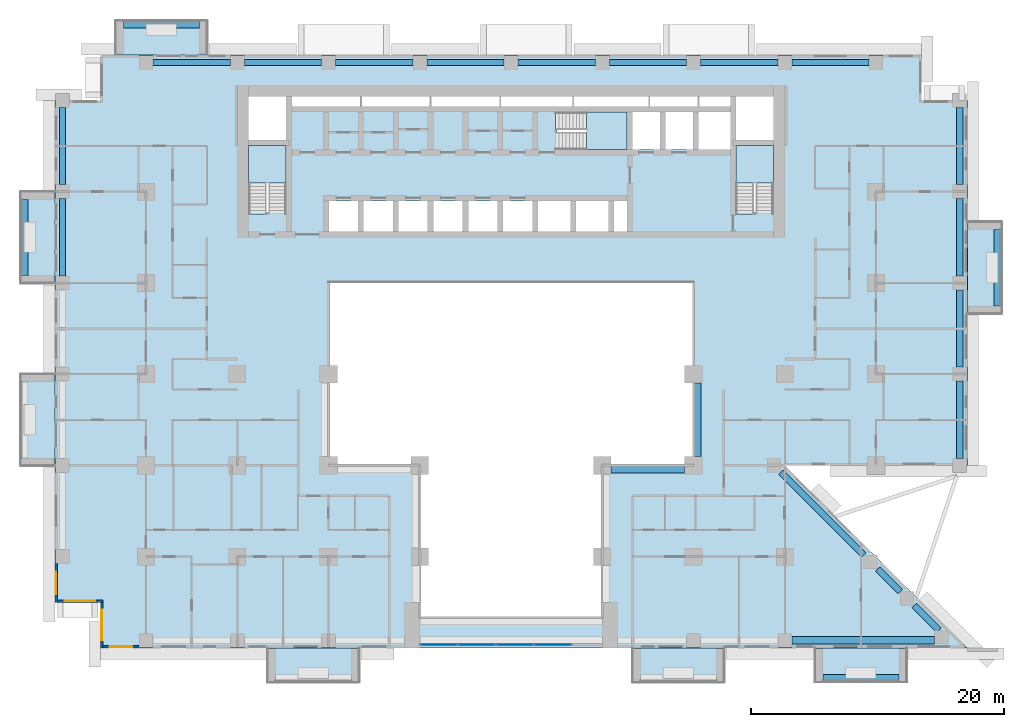
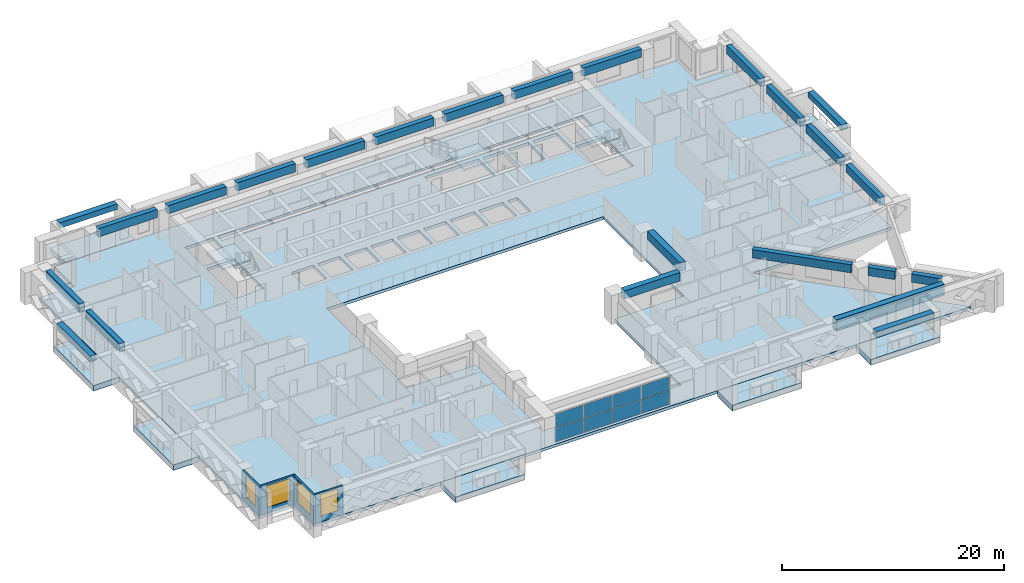
# One storey, part 5 of 17: 24 beams, 11 slabs, 8 plates, 4 walls, 4 windows, 4 openings, 4 elements without a shape of their own.
"""IFC4 building model written with IfcOpenShell, lengths in metres."""

import ifcopenshell
import ifcopenshell.guid

model = None  # the IFC model being written
_history = None  # IfcOwnerHistory: only IFC2X3 demands one
_inside = {}  # id of a spatial element -> (the spatial element, [elements in it])
_under = {}  # id of a project, library or spatial element -> (it, [spatial elements below it])
_declared = {}  # id of a project -> (the project, [libraries it declares])
_typed = {}  # id of a type object -> (the type object, [elements of that type])
_made_of = {}  # id of a material, layer set ... -> (it, [elements and type objects made of it])


def new_model(schema):
    """Start an empty IFC model of exactly this schema.

    Asked for "IFC4X3", IfcOpenShell would pick the latest addendum, in which some entities
    have other attributes; the version numbers below select the first issue.
    IFC2X3 requires an IfcOwnerHistory on every rooted entity: one is made here for all.
    """
    global model, _history
    if schema == "IFC4X3":
        model = ifcopenshell.file(schema_version=(4, 3, 0, 0))
    else:
        model = ifcopenshell.file(schema=schema)
    _inside.clear()
    _under.clear()
    _declared.clear()
    _typed.clear()
    _made_of.clear()
    _history = None
    if model.schema == "IFC2X3":
        org = make("IfcOrganization", Name="unknown")
        user = make(
            "IfcPersonAndOrganization",
            ThePerson=make("IfcPerson", FamilyName="unknown"),
            TheOrganization=org,
        )
        app = make(
            "IfcApplication",
            ApplicationDeveloper=org,
            Version="unknown",
            ApplicationFullName="unknown",
            ApplicationIdentifier="unknown",
        )
        _history = make(
            "IfcOwnerHistory",
            OwningUser=user,
            OwningApplication=app,
            ChangeAction="ADDED",
            CreationDate=0,
        )
    return model


def make(cls, **values):
    """One entity of the class cls with the attributes given. An attribute that is None is left unset."""
    return model.create_entity(
        cls, **{name: value for name, value in values.items() if value is not None}
    )


def rooted(cls, **values):
    """An entity with a GlobalId (a new one), such as an element, a storey or a relation."""
    return make(cls, GlobalId=ifcopenshell.guid.new(), OwnerHistory=_history, **values)


def si_unit(unit_type, name, prefix=None):
    """IfcSIUnit, for example si_unit("LENGTHUNIT", "METRE", prefix="MILLI")."""
    return make("IfcSIUnit", UnitType=unit_type, Prefix=prefix, Name=name)


def assignment(units):
    """IfcUnitAssignment: the units of a project."""
    return None if units is None else make("IfcUnitAssignment", Units=units)


def point(xyz):
    """IfcCartesianPoint."""
    return None if xyz is None else make("IfcCartesianPoint", Coordinates=xyz)


def direction(xyz):
    """IfcDirection."""
    return None if xyz is None else make("IfcDirection", DirectionRatios=xyz)


def frame(location, z_axis=None, x_axis=None):
    """IfcAxis2Placement3D, a coordinate frame: its origin and axes. An axis left out is left unset."""
    return make(
        "IfcAxis2Placement3D",
        Location=point(location),
        Axis=direction(z_axis),
        RefDirection=direction(x_axis),
    )


def frame_2d(location, x_axis=None):
    """IfcAxis2Placement2D, a coordinate frame in the plane: its origin and x axis."""
    return make(
        "IfcAxis2Placement2D", Location=point(location), RefDirection=direction(x_axis)
    )


def origin():
    """The frame at (0, 0, 0) with its axes left unset."""
    return frame((0.0, 0.0, 0.0))


def origin_2d():
    """The frame at (0, 0) in the plane with its x axis left unset."""
    return frame_2d((0.0, 0.0))


def place(relative_to, where):
    """IfcLocalPlacement: puts the frame where relative to a parent placement (None: the world)."""
    return make(
        "IfcLocalPlacement", PlacementRelTo=relative_to, RelativePlacement=where
    )


def context(
    kind, dimensions, precision=None, world=None, true_north=None, identifier=None
):
    """IfcGeometricRepresentationContext, for example the 3D "Model" context."""
    return make(
        "IfcGeometricRepresentationContext",
        ContextIdentifier=identifier,
        ContextType=kind,
        CoordinateSpaceDimension=dimensions,
        Precision=precision,
        WorldCoordinateSystem=world,
        TrueNorth=true_north,
    )


def subcontext(parent, identifier, kind, view, scale=None):
    """IfcGeometricRepresentationSubContext, for example "Body" below "Model"."""
    return make(
        "IfcGeometricRepresentationSubContext",
        ContextIdentifier=identifier,
        ContextType=kind,
        ParentContext=parent,
        TargetScale=scale,
        TargetView=view,
    )


def project(units=None, contexts=None):
    """IfcProject with its units and contexts."""
    return rooted(
        "IfcProject",
        Name="project",
        RepresentationContexts=contexts,
        UnitsInContext=assignment(units),
    )


def spatial(cls, under=None, at=None, **own):
    """A site, building, storey or space (cls), placed at a placement, below another one or the project."""
    s = rooted(cls, ObjectPlacement=at, **own)
    if under is not None:
        _under.setdefault(under.id(), (under, []))[1].append(s)
    return s


def polyline(points):
    """IfcPolyline through the points."""
    return make("IfcPolyline", Points=[point(p) for p in points])


def profile(cls, at=None, kind="AREA", **sizes):
    """A parametric profile (cls). Its sizes go by their IFC names, for example OverallWidth=200.0."""
    return make(cls, ProfileType=kind, Position=at, **sizes)


def rectangle(**sizes):
    """IfcRectangleProfileDef."""
    return profile("IfcRectangleProfileDef", **sizes)


def outline(outer, holes=None, kind="AREA"):
    """IfcArbitraryClosedProfileDef: a profile drawn as a closed curve; with holes, ...WithVoids."""
    if holes is None:
        return make("IfcArbitraryClosedProfileDef", ProfileType=kind, OuterCurve=outer)
    return make(
        "IfcArbitraryProfileDefWithVoids",
        ProfileType=kind,
        OuterCurve=outer,
        InnerCurves=holes,
    )


def extrude(swept, where, along, depth):
    """IfcExtrudedAreaSolid: the profile swept, set in the frame where, extruded along a direction by depth."""
    return make(
        "IfcExtrudedAreaSolid",
        SweptArea=swept,
        Position=where,
        ExtrudedDirection=direction(along),
        Depth=depth,
    )


def shape(context_of_items, identifier, shape_type, items):
    """IfcShapeRepresentation: the items that make up one representation, for example the "Body"."""
    return make(
        "IfcShapeRepresentation",
        ContextOfItems=context_of_items,
        RepresentationIdentifier=identifier,
        RepresentationType=shape_type,
        Items=items,
    )


def source(mapping_origin, context_of_items, identifier, shape_type, items):
    """IfcRepresentationMap: a shape defined once, which mapped items show again and again."""
    return make(
        "IfcRepresentationMap",
        MappingOrigin=mapping_origin,
        MappedRepresentation=shape(context_of_items, identifier, shape_type, items),
    )


def transform(
    local_origin,
    x_axis=None,
    y_axis=None,
    z_axis=None,
    scale=None,
    scale2=None,
    scale3=None,
    uniform=True,
):
    """IfcCartesianTransformationOperator3D, or its non-uniform kind. x_axis, y_axis, z_axis: its Axis1, 2, 3."""
    if uniform:
        return make(
            "IfcCartesianTransformationOperator3D",
            Axis1=direction(x_axis),
            Axis2=direction(y_axis),
            LocalOrigin=point(local_origin),
            Scale=scale,
            Axis3=direction(z_axis),
        )
    return make(
        "IfcCartesianTransformationOperator3DnonUniform",
        Axis1=direction(x_axis),
        Axis2=direction(y_axis),
        LocalOrigin=point(local_origin),
        Scale=scale,
        Axis3=direction(z_axis),
        Scale2=scale2,
        Scale3=scale3,
    )


def mapped(mapping_source, mapping_target):
    """IfcMappedItem: shows the shape of a source again, moved by a transform."""
    return make(
        "IfcMappedItem", MappingSource=mapping_source, MappingTarget=mapping_target
    )


def material(Name=None, Category=None):
    """IfcMaterial."""
    return make("IfcMaterial", Name=Name, Category=Category)


def layer(
    of_material, thickness, ventilated=None, Name=None, Category=None, Priority=None
):
    """IfcMaterialLayer: one layer of a wall or slab, of a material (None: an air gap)."""
    return make(
        "IfcMaterialLayer",
        Material=of_material,
        LayerThickness=thickness,
        IsVentilated=ventilated,
        Name=Name,
        Category=Category,
        Priority=Priority,
    )


def layer_set(layers, Name=None):
    """IfcMaterialLayerSet."""
    return make("IfcMaterialLayerSet", MaterialLayers=layers, LayerSetName=Name)


def material_profile(
    of_material, cross_section, Name=None, Category=None, Priority=None
):
    """IfcMaterialProfile: a cross section and its material."""
    return make(
        "IfcMaterialProfile",
        Name=Name,
        Material=of_material,
        Profile=cross_section,
        Priority=Priority,
        Category=Category,
    )


def profile_set(profiles, Name=None, composite=None):
    """IfcMaterialProfileSet."""
    return make(
        "IfcMaterialProfileSet",
        Name=Name,
        MaterialProfiles=profiles,
        CompositeProfile=composite,
    )


def made_of(thing, what):
    """Note that an element or type object is made of a material, layer set ...; save() writes the relation."""
    if what is not None:
        _made_of.setdefault(what.id(), (what, []))[1].append(thing)
    return thing


def type_object(cls, material=None, **own):
    """A type object (cls), such as IfcWallType, which elements share."""
    return made_of(rooted(cls, **own), material)


def element(
    cls,
    number,
    at=None,
    inside=None,
    cuts=None,
    type_object=None,
    material=None,
    context=None,
    identifier="Body",
    shape_type=None,
    held_by="IfcProductDefinitionShape",
    body=None,
    shapes=None,
    **own,
):
    """One element of the class cls, such as IfcWall. Its Tag is "e" and its number.

    at: its placement. inside: the storey or other place that contains it. cuts: it is an
    opening in that element (IfcRelVoidsElement). A single representation is given by context,
    identifier, shape_type and body (its items); several are given by shapes. held_by: the class
    of the entity that holds the representations. save() writes the other relations.
    """
    e = rooted(cls, Tag="e%d" % number, ObjectPlacement=at, **own)
    if body is not None:
        shapes = [shape(context, identifier, shape_type, body)]
    if shapes is not None:
        e.Representation = make(held_by, Representations=shapes)
    if inside is not None:
        _inside.setdefault(inside.id(), (inside, []))[1].append(e)
    if cuts is not None:
        rooted(
            "IfcRelVoidsElement", RelatingBuildingElement=cuts, RelatedOpeningElement=e
        )
    if type_object is not None:
        _typed.setdefault(type_object.id(), (type_object, []))[1].append(e)
    return made_of(e, material)


def fill(opening, filler):
    """IfcRelFillsElement: the door or window that sits in an opening."""
    return rooted(
        "IfcRelFillsElement",
        RelatingOpeningElement=opening,
        RelatedBuildingElement=filler,
    )


def aggregate(whole, parts):
    """IfcRelAggregates: a whole, such as a stair, and the parts it consists of."""
    return rooted("IfcRelAggregates", RelatingObject=whole, RelatedObjects=parts)


def save(model, path):
    """Write the relations noted so far, then the file.

    IfcRelAggregates (storeys below a building ...), IfcRelContainedInSpatialStructure (elements
    in a storey), IfcRelDefinesByType, IfcRelAssociatesMaterial and IfcRelDeclares: one each for
    every whole, place, type object, material and project.
    """
    for whole, parts in _under.values():
        aggregate(whole, parts)
    for where, things in _inside.values():
        rooted(
            "IfcRelContainedInSpatialStructure",
            RelatedElements=things,
            RelatingStructure=where,
        )
    for kind, things in _typed.values():
        rooted("IfcRelDefinesByType", RelatedObjects=things, RelatingType=kind)
    for what, things in _made_of.values():
        rooted("IfcRelAssociatesMaterial", RelatedObjects=things, RelatingMaterial=what)
    for by, libraries in _declared.values():
        rooted("IfcRelDeclares", RelatingContext=by, RelatedDefinitions=libraries)
    model.write(path)


model = new_model("IFC4")

# Units and contexts
model_context = context("Model", 3, precision=1e-05, world=origin(), true_north=direction((0.0, 1.0)))
body_context = subcontext(model_context, "Body", "Model", "MODEL_VIEW")
ifc_project = project(units=[si_unit("LENGTHUNIT", "METRE"), si_unit("AREAUNIT", "SQUARE_METRE"), si_unit("VOLUMEUNIT", "CUBIC_METRE"), si_unit("PLANEANGLEUNIT", "RADIAN"), si_unit("MASSUNIT", "GRAM", prefix="KILO")], contexts=[model_context])

# Site, building, storey
site_placement = place(None, origin())
site = spatial("IfcSite", under=ifc_project, at=site_placement, CompositionType="ELEMENT")
building_placement = place(site_placement, origin())
building = spatial("IfcBuilding", under=site, at=building_placement, Name="Saffron Iwan Residences", CompositionType="ELEMENT")
storey_placement = place(building_placement, frame((0.0, 0.0, 58.5)))
storey = spatial("IfcBuildingStorey", under=building, at=storey_placement, Name="L14", CompositionType="ELEMENT", Elevation=58.5)

# Beams
ifc_material_1 = material(Name="Concrete C60/75", Category="concrete")
ifc_material_profile_1 = material_profile(ifc_material_1, rectangle(XDim=0.5, YDim=0.89990234375, at=origin_2d()), Name="RC 500x900")
ifc_profile_set_1 = profile_set([ifc_material_profile_1], Name="Concrete C60/75")
beam_type_1 = type_object("IfcBeamType", Name="SPANDREL BEAM RC 500x900 C60/75 TOP 3180", PredefinedType="SPANDREL", material=ifc_profile_set_1)
shared_shape_1 = source(origin(), body_context, "Body", "SweptSolid", [
    extrude(rectangle(XDim=0.5, YDim=0.89990234375, at=origin_2d()), origin(), (0.0, 0.0, 1.0), 6.10009765625),
])
for number, where, z_axis, x_axis, name in (
    (1, (85.800048828125, 61.85009765625, 2.72998046875), (0.0, -1.0, 0.0), (1.0, 0.0, 0.0), "Spandrel beam"),
    (2, (15.0, 62.949951171875, 2.72998046875), (0.0, 1.0, 0.0), (-1.0, 0.0, 0.0), "Spandrel beam"),
    (3, (85.800048828125, 69.050048828125, 2.72998046875), (0.0, -1.0, 0.0), (1.0, 0.0, 0.0), "Spandrel beam"),
    (4, (15.0, 70.14990234375, 2.72998046875), (0.0, 1.0, 0.0), (-1.0, 0.0, 0.0), "Spandrel beam"),
    (5, (85.800048828125, 76.25, 2.72998046875), (0.0, -1.0, 0.0), (1.0, 0.0, 0.0), "Spandrel beam"),
    (6, (22.14990234375, 79.800048828125, 2.72998046875), (1.0, 0.0, 0.0), (0.0, 1.0, 0.0), "Spandrel beam"),
    (7, (43.75, 79.800048828125, 2.72998046875), (1.0, 0.0, 0.0), (0.0, 1.0, 0.0), "Spandrel beam"),
    (8, (50.949951171875, 79.800048828125, 2.72998046875), (1.0, 0.0, 0.0), (0.0, 1.0, 0.0), "Spandrel beam"),
    (9, (58.14990234375, 79.800048828125, 2.72998046875), (1.0, 0.0, 0.0), (0.0, 1.0, 0.0), "Spandrel beam"),
):
    element("IfcBeam", number, at=place(storey_placement, frame(where, z_axis=z_axis, x_axis=x_axis)), inside=storey, type_object=beam_type_1, Name=name, PredefinedType="SPANDREL", context=body_context, shape_type="MappedRepresentation", body=[
        mapped(shared_shape_1, transform((0.0, 0.0, 0.0))),
    ])
shared_shape_2 = source(origin(), body_context, "Body", "SweptSolid", [
    extrude(rectangle(XDim=0.5, YDim=0.89990234375, at=origin_2d()), origin(), (0.0, 0.0, 1.0), 6.099853515625),
])
for number, where, z_axis, x_axis, name in (
    (10, (85.800048828125, 54.64990234375, 2.72998046875), (0.0, -1.0, 0.0), (1.0, 0.0, 0.0), "Spandrel beam"),
    (11, (29.35009765625, 79.800048828125, 2.72998046875), (1.0, 0.0, 0.0), (0.0, 1.0, 0.0), "Spandrel beam"),
    (12, (36.550048828125, 79.800048828125, 2.72998046875), (1.0, 0.0, 0.0), (0.0, 1.0, 0.0), "Spandrel beam"),
    (13, (65.35009765625, 79.800048828125, 2.72998046875), (1.0, 0.0, 0.0), (0.0, 1.0, 0.0), "Spandrel beam"),
    (14, (72.550048828125, 79.800048828125, 2.72998046875), (1.0, 0.0, 0.0), (0.0, 1.0, 0.0), "Spandrel beam"),
):
    element("IfcBeam", number, at=place(storey_placement, frame(where, z_axis=z_axis, x_axis=x_axis)), inside=storey, type_object=beam_type_1, Name=name, PredefinedType="SPANDREL", context=body_context, shape_type="MappedRepresentation", body=[
        mapped(shared_shape_2, transform((0.0, 0.0, 0.0))),
    ])
shared_shape_3 = source(origin(), body_context, "Body", "SweptSolid", [
    extrude(rectangle(XDim=0.5, YDim=0.89990234375, at=origin_2d()), origin(), (0.0, 0.0, 1.0), 2.76318359375),
])
beam_1_placement = place(storey_placement, frame((82.205810546875, 36.94580078125, 2.72998046875), z_axis=(0.707106781187, -0.707106781187, 0.0), x_axis=(0.707106781187, 0.707106781187, 0.0)))
element("IfcBeam", 15, at=beam_1_placement, inside=storey, type_object=beam_type_1, Name="Spandrel beam", PredefinedType="SPANDREL", context=body_context, shape_type="MappedRepresentation", body=[
    mapped(shared_shape_3, transform((0.0, 0.0, 0.0))),
])
shared_shape_4 = source(origin(), body_context, "Body", "SweptSolid", [
    extrude(rectangle(XDim=0.5, YDim=0.89990234375, at=origin_2d()), origin(), (0.0, 0.0, 1.0), 2.517333984375),
])
beam_2_placement = place(storey_placement, frame((79.32568359375, 39.82568359375, 2.72998046875), z_axis=(0.707106781187, -0.707106781187, 0.0), x_axis=(0.707106781187, 0.707106781187, 0.0)))
element("IfcBeam", 16, at=beam_2_placement, inside=storey, type_object=beam_type_1, Name="Spandrel beam", PredefinedType="SPANDREL", context=body_context, shape_type="MappedRepresentation", body=[
    mapped(shared_shape_4, transform((0.0, 0.0, 0.0))),
])
shared_shape_5 = source(origin(), body_context, "Body", "SweptSolid", [
    extrude(rectangle(XDim=0.5, YDim=0.89990234375, at=origin_2d()), origin(), (0.0, 0.0, 1.0), 9.228759765625),
])
beam_3_placement = place(storey_placement, frame((71.699951171875, 47.451416015625, 2.72998046875), z_axis=(0.707120008149, -0.707093553977, 0.0), x_axis=(0.707093553977, 0.707120008149, 0.0)))
element("IfcBeam", 17, at=beam_3_placement, inside=storey, type_object=beam_type_1, Name="Spandrel beam", PredefinedType="SPANDREL", context=body_context, shape_type="MappedRepresentation", body=[
    mapped(shared_shape_5, transform((0.0, 0.0, 0.0))),
])
ifc_material_profile_2 = material_profile(ifc_material_1, rectangle(XDim=0.60009765625, YDim=1.199951171875, at=origin_2d()), Name="RC 600x1200")
ifc_profile_set_2 = profile_set([ifc_material_profile_2], Name="Concrete C60/75")
beam_type_2 = type_object("IfcBeamType", Name="LINTEL BEAM RC 600x1200 C60/75 TOP 3180", PredefinedType="LINTEL", material=ifc_profile_set_2)
shared_shape_6 = source(origin(), body_context, "Body", "SweptSolid", [
    extrude(rectangle(XDim=0.60009765625, YDim=1.199951171875, at=origin_2d()), origin(), (0.0, 0.0, 1.0), 11.267333984375),
])
beam_4_placement = place(storey_placement, frame((83.8173828125, 34.199951171875, 2.580078125), z_axis=(-1.0, 0.0, 0.0), x_axis=(0.0, -1.0, 0.0)))
element("IfcBeam", 18, at=beam_4_placement, inside=storey, type_object=beam_type_2, Name="Lintel beam over the iwan", PredefinedType="LINTEL", context=body_context, shape_type="MappedRepresentation", body=[
    mapped(shared_shape_6, transform((0.0, 0.0, 0.0))),
])
ifc_material_profile_3 = material_profile(ifc_material_1, rectangle(XDim=0.60009765625, YDim=0.89990234375, at=origin_2d()), Name="RC 600x900")
ifc_profile_set_3 = profile_set([ifc_material_profile_3], Name="Concrete C60/75")
beam_type_3 = type_object("IfcBeamType", Name="BEAM RC 600x900 C60/75 TOP 3180", PredefinedType="BEAM", material=ifc_profile_set_3)
shared_shape_7 = source(origin(), body_context, "Body", "SweptSolid", [
    extrude(rectangle(XDim=0.60009765625, YDim=0.89990234375, at=origin_2d()), origin(), (0.0, 0.0, 1.0), 5.800048828125),
])
for number, where, z_axis, x_axis, name in (
    (19, (64.10009765625, 47.699951171875, 2.72998046875), (-1.0, 0.0, 0.0), (0.0, -1.0, 0.0), "Atrium edge beam"),
    (20, (65.10009765625, 54.5, 2.72998046875), (0.0, -1.0, 0.0), (1.0, 0.0, 0.0), "Atrium edge beam"),
):
    element("IfcBeam", number, at=place(storey_placement, frame(where, z_axis=z_axis, x_axis=x_axis)), inside=storey, type_object=beam_type_3, Name=name, PredefinedType="BEAM", context=body_context, shape_type="MappedRepresentation", body=[
        mapped(shared_shape_7, transform((0.0, 0.0, 0.0))),
    ])
ifc_material_2 = material(Name="Concrete C50/60 white painted", Category="concrete")
ifc_material_profile_4 = material_profile(ifc_material_2, rectangle(XDim=0.60009765625, YDim=0.60009765625, at=origin_2d()), Name="BALCONY FASCIA BEAM 600 x 600")
ifc_profile_set_4 = profile_set([ifc_material_profile_4], Name="Concrete C50/60 white painted")
beam_type_4 = type_object("IfcBeamType", Name="BALCONY FASCIA BEAM 600 x 600", PredefinedType="BEAM", material=ifc_profile_set_4)
shared_shape_8 = source(origin(), body_context, "Body", "SweptSolid", [
    extrude(rectangle(XDim=0.60009765625, YDim=0.60009765625, at=origin_2d()), origin(), (0.0, 0.0, 1.0), 6.0),
])
for number, where, z_axis, x_axis, name in (
    (21, (88.800048828125, 60.60009765625, 2.550048828125), (0.0, 1.0, 0.0), (-1.0, 0.0, 0.0), "Balcony fascia beam L14 F2-0"),
    (22, (25.800048828125, 82.800048828125, 2.550048828125), (-1.0, 0.0, 0.0), (0.0, -1.0, 0.0), "Balcony fascia beam L14 F5-3"),
    (23, (12.0, 69.0, 2.550048828125), (0.0, -1.0, 0.0), (1.0, 0.0, 0.0), "Balcony fascia beam L14 F8-0"),
    (24, (75.0, 31.199951171875, 2.550048828125), (1.0, 0.0, 0.0), (0.0, 1.0, 0.0), "Balcony fascia beam L14 11-2"),
):
    element("IfcBeam", number, at=place(storey_placement, frame(where, z_axis=z_axis, x_axis=x_axis)), inside=storey, type_object=beam_type_4, Name=name, PredefinedType="BEAM", context=body_context, shape_type="MappedRepresentation", body=[
        mapped(shared_shape_8, transform((0.0, 0.0, 0.0))),
    ])

# Slabs
ifc_layer_1 = layer(ifc_material_2, 0.60009765625)
ifc_layer_set_1 = layer_set([ifc_layer_1], Name="Concrete C50/60 white painted")
slab_type_1 = type_object("IfcSlabType", Name="BALCONY FRAME SLAB 600", PredefinedType="FLOOR", material=ifc_layer_set_1)
slab_1_placement = place(storey_placement, frame((0.0, 0.0, -0.60009765625)))
element("IfcSlab", 25, at=slab_1_placement, inside=storey, type_object=slab_type_1, Name="Balcony frame slab L14 F2-0", PredefinedType="FLOOR", context=body_context, shape_type="SweptSolid", body=[
    extrude(outline(polyline([(89.10009765625, 60.0), (89.10009765625, 67.199951171875), (86.39990234375, 67.199951171875), (86.39990234375, 60.0), (89.10009765625, 60.0)])), origin(), (0.0, 0.0, 1.0), 0.60009765625),
])
slab_2_placement = place(storey_placement, frame((0.0, 0.0, -0.60009765625)))
element("IfcSlab", 26, at=slab_2_placement, inside=storey, type_object=slab_type_1, Name="Balcony frame slab L14 F5-3", PredefinedType="FLOOR", context=body_context, shape_type="SweptSolid", body=[
    extrude(outline(polyline([(26.39990234375, 83.10009765625), (19.199951171875, 83.10009765625), (19.199951171875, 80.39990234375), (26.39990234375, 80.39990234375), (26.39990234375, 83.10009765625)])), origin(), (0.0, 0.0, 1.0), 0.60009765625),
])
slab_3_placement = place(storey_placement, frame((0.0, 0.0, -0.60009765625)))
element("IfcSlab", 27, at=slab_3_placement, inside=storey, type_object=slab_type_1, Name="Balcony frame slab L14 F8-0", PredefinedType="FLOOR", context=body_context, shape_type="SweptSolid", body=[
    extrude(outline(polyline([(11.699951171875, 69.60009765625), (11.699951171875, 62.39990234375), (14.39990234375, 62.39990234375), (14.39990234375, 69.60009765625), (11.699951171875, 69.60009765625)])), origin(), (0.0, 0.0, 1.0), 0.60009765625),
])
slab_4_placement = place(storey_placement, frame((0.0, 0.0, -0.60009765625)))
element("IfcSlab", 28, at=slab_4_placement, inside=storey, type_object=slab_type_1, Name="Balcony frame slab L14 F8-1", PredefinedType="FLOOR", context=body_context, shape_type="SweptSolid", body=[
    extrude(outline(polyline([(11.699951171875, 55.199951171875), (11.699951171875, 48.0), (14.39990234375, 48.0), (14.39990234375, 55.199951171875), (11.699951171875, 55.199951171875)])), origin(), (0.0, 0.0, 1.0), 0.60009765625),
])
slab_5_placement = place(storey_placement, frame((0.0, 0.0, -0.60009765625)))
element("IfcSlab", 29, at=slab_5_placement, inside=storey, type_object=slab_type_1, Name="Balcony frame slab L14 11-0", PredefinedType="FLOOR", context=body_context, shape_type="SweptSolid", body=[
    extrude(outline(polyline([(31.199951171875, 30.89990234375), (38.39990234375, 30.89990234375), (38.39990234375, 33.60009765625), (31.199951171875, 33.60009765625), (31.199951171875, 30.89990234375)])), origin(), (0.0, 0.0, 1.0), 0.60009765625),
])
slab_6_placement = place(storey_placement, frame((0.0, 0.0, -0.60009765625)))
element("IfcSlab", 30, at=slab_6_placement, inside=storey, type_object=slab_type_1, Name="Balcony frame slab L14 11-1", PredefinedType="FLOOR", context=body_context, shape_type="SweptSolid", body=[
    extrude(outline(polyline([(60.0, 30.89990234375), (67.199951171875, 30.89990234375), (67.199951171875, 33.60009765625), (60.0, 33.60009765625), (60.0, 30.89990234375)])), origin(), (0.0, 0.0, 1.0), 0.60009765625),
])
slab_7_placement = place(storey_placement, frame((0.0, 0.0, -0.60009765625)))
element("IfcSlab", 31, at=slab_7_placement, inside=storey, type_object=slab_type_1, Name="Balcony frame slab L14 11-2", PredefinedType="FLOOR", context=body_context, shape_type="SweptSolid", body=[
    extrude(outline(polyline([(74.39990234375, 30.89990234375), (81.60009765625, 30.89990234375), (81.60009765625, 33.60009765625), (74.39990234375, 33.60009765625), (74.39990234375, 30.89990234375)])), origin(), (0.0, 0.0, 1.0), 0.60009765625),
])
ifc_material_3 = material(Name="Concrete C40/50", Category="concrete")
ifc_layer_2 = layer(ifc_material_3, 0.320068359375)
ifc_layer_set_2 = layer_set([ifc_layer_2], Name="Concrete C40/50")
slab_type_2 = type_object("IfcSlabType", Name="PT PLATE 320 C40/50", PredefinedType="FLOOR", material=ifc_layer_set_2)
slab_8_placement = place(storey_placement, frame((0.0, 0.0, -0.320068359375)))
element("IfcSlab", 32, at=slab_8_placement, inside=storey, type_object=slab_type_2, Name="Floor slab L14", PredefinedType="FLOOR", context=body_context, shape_type="SweptSolid", body=[
    extrude(outline(polyline([(14.39990234375, 37.199951171875), (14.39990234375, 76.800048828125), (18.0, 76.800048828125), (18.0, 80.39990234375), (82.800048828125, 80.39990234375), (82.800048828125, 76.800048828125), (86.39990234375, 76.800048828125), (86.39990234375, 48.0), (72.0, 48.0), (86.39990234375, 33.60009765625), (18.0, 33.60009765625), (18.0, 37.199951171875), (14.39990234375, 37.199951171875)]), holes=[polyline([(64.800048828125, 48.0), (64.800048828125, 62.39990234375), (36.0, 62.39990234375), (36.0, 48.0), (43.199951171875, 48.0), (43.199951171875, 36.0), (57.60009765625, 36.0), (57.60009765625, 48.0), (64.800048828125, 48.0)]), polyline([(38.324951171875, 68.875), (36.02490234375, 68.875), (36.02490234375, 66.449951171875), (38.324951171875, 66.449951171875), (38.324951171875, 68.875)]), polyline([(41.074951171875, 66.449951171875), (41.074951171875, 68.875), (38.77490234375, 68.875), (38.77490234375, 66.449951171875), (41.074951171875, 66.449951171875)]), polyline([(43.824951171875, 66.449951171875), (43.824951171875, 68.875), (41.52490234375, 68.875), (41.52490234375, 66.449951171875), (43.824951171875, 66.449951171875)]), polyline([(46.574951171875, 68.875), (44.27490234375, 68.875), (44.27490234375, 66.449951171875), (46.574951171875, 66.449951171875), (46.574951171875, 68.875)]), polyline([(49.324951171875, 66.449951171875), (49.324951171875, 68.875), (47.02490234375, 68.875), (47.02490234375, 66.449951171875), (49.324951171875, 66.449951171875)]), polyline([(52.074951171875, 66.449951171875), (52.074951171875, 68.875), (49.77490234375, 68.875), (49.77490234375, 66.449951171875), (52.074951171875, 66.449951171875)]), polyline([(29.699951171875, 73.25), (29.699951171875, 67.949951171875), (29.699951171875, 67.8505859375), (31.10009765625, 67.8505859375), (31.10009765625, 67.949951171875), (32.64990234375, 67.949951171875), (32.64990234375, 73.25), (29.699951171875, 73.25)]), polyline([(32.64990234375, 73.699951171875), (32.64990234375, 77.10009765625), (29.699951171875, 77.10009765625), (29.699951171875, 73.699951171875), (32.64990234375, 73.699951171875)]), polyline([(38.5, 76.324951171875), (38.5, 77.10009765625), (33.10009765625, 77.10009765625), (33.10009765625, 76.324951171875), (38.5, 76.324951171875)]), polyline([(44.0, 77.10009765625), (38.60009765625, 77.10009765625), (38.60009765625, 76.324951171875), (44.0, 76.324951171875), (44.0, 77.10009765625)]), polyline([(49.5, 76.324951171875), (49.5, 77.10009765625), (44.10009765625, 77.10009765625), (44.10009765625, 76.324951171875), (49.5, 76.324951171875)]), polyline([(55.25, 76.324951171875), (55.25, 77.10009765625), (49.60009765625, 77.10009765625), (49.60009765625, 76.324951171875), (55.25, 76.324951171875)]), polyline([(55.074951171875, 68.875), (52.52490234375, 68.875), (52.52490234375, 66.449951171875), (55.074951171875, 66.449951171875), (55.074951171875, 68.875)]), polyline([(58.074951171875, 66.449951171875), (58.074951171875, 68.875), (55.52490234375, 68.875), (55.52490234375, 66.449951171875), (58.074951171875, 66.449951171875)]), polyline([(59.550048828125, 66.449951171875), (59.550048828125, 68.875), (58.52490234375, 68.875), (58.52490234375, 66.449951171875), (59.550048828125, 66.449951171875)]), polyline([(68.14990234375, 73.25), (68.14990234375, 67.949951171875), (68.14990234375, 67.8505859375), (69.550048828125, 67.8505859375), (69.550048828125, 67.949951171875), (71.10009765625, 67.949951171875), (71.10009765625, 73.25), (68.14990234375, 73.25)]), polyline([(53.925537109375, 74.47509765625), (54.02490234375, 74.47509765625), (54.02490234375, 72.925048828125), (59.550048828125, 72.925048828125), (59.550048828125, 75.875), (54.02490234375, 75.875), (53.925537109375, 75.875), (53.925537109375, 74.47509765625)]), polyline([(62.14990234375, 72.925048828125), (62.14990234375, 75.875), (60.0, 75.875), (60.0, 72.925048828125), (62.14990234375, 72.925048828125)]), polyline([(64.75, 75.875), (62.60009765625, 75.875), (62.60009765625, 72.925048828125), (64.75, 72.925048828125), (64.75, 75.875)]), polyline([(67.699951171875, 72.925048828125), (67.699951171875, 75.875), (65.199951171875, 75.875), (65.199951171875, 72.925048828125), (67.699951171875, 72.925048828125)]), polyline([(71.10009765625, 73.699951171875), (71.10009765625, 77.10009765625), (68.14990234375, 77.10009765625), (68.14990234375, 73.699951171875), (71.10009765625, 73.699951171875)]), polyline([(61.25, 77.10009765625), (55.35009765625, 77.10009765625), (55.35009765625, 76.324951171875), (61.25, 76.324951171875), (61.25, 77.10009765625)]), polyline([(65.14990234375, 76.324951171875), (65.14990234375, 77.10009765625), (61.35009765625, 77.10009765625), (61.35009765625, 76.324951171875), (65.14990234375, 76.324951171875)]), polyline([(67.699951171875, 76.324951171875), (67.699951171875, 77.10009765625), (65.25, 77.10009765625), (65.25, 76.324951171875), (67.699951171875, 76.324951171875)])]), origin(), (0.0, 0.0, 1.0), 0.320068359375),
])

# Stair, slab
ifc_material_4 = material(Name="Concrete C50/60", Category="concrete")
stair_type = type_object("IfcStairType", Name="Stair ST-CORE", PredefinedType="HALF_TURN_STAIR", material=ifc_material_4)
stair_1_placement = place(storey_placement, origin())
stair_1 = element("IfcStair", 33, at=stair_1_placement, inside=storey, type_object=stair_type, Name="L14 Exit Stair ST-W", PredefinedType="HALF_TURN_STAIR")
ifc_layer_3 = layer(ifc_material_4, 0.199951171875)
ifc_layer_set_3 = layer_set([ifc_layer_3], Name="Concrete C50/60")
slab_type_3 = type_object("IfcSlabType", Name="Stair landing SL-RC", PredefinedType="LANDING", material=ifc_layer_set_3)
slab_9_placement = place(storey_placement, frame((0.0, 0.0, 1.5498046875)))
slab_9 = element("IfcSlab", 34, at=slab_9_placement, type_object=slab_type_3, Name="ST-W landing 1", PredefinedType="LANDING", context=body_context, shape_type="SweptSolid", body=[
    extrude(outline(polyline([(32.64990234375, 70.280029296875), (32.64990234375, 73.25), (29.699951171875, 73.25), (29.699951171875, 70.280029296875), (32.64990234375, 70.280029296875)])), origin(), (0.0, 0.0, 1.0), 0.2001953125),
])
aggregate(stair_1, [slab_9])

stair_2_placement = place(storey_placement, origin())
stair_2 = element("IfcStair", 35, at=stair_2_placement, inside=storey, type_object=stair_type, Name="L14 Exit Stair ST-C", PredefinedType="HALF_TURN_STAIR")
slab_10_placement = place(storey_placement, frame((0.0, 0.0, 1.5498046875)))
slab_10 = element("IfcSlab", 36, at=slab_10_placement, type_object=slab_type_3, Name="ST-C landing 1", PredefinedType="LANDING", context=body_context, shape_type="SweptSolid", body=[
    extrude(outline(polyline([(56.35498046875, 72.925048828125), (59.550048828125, 72.925048828125), (59.550048828125, 75.875), (56.35498046875, 75.875), (56.35498046875, 72.925048828125)])), origin(), (0.0, 0.0, 1.0), 0.2001953125),
])
aggregate(stair_2, [slab_10])

stair_3_placement = place(storey_placement, origin())
stair_3 = element("IfcStair", 37, at=stair_3_placement, inside=storey, type_object=stair_type, Name="L14 Exit Stair ST-E", PredefinedType="HALF_TURN_STAIR")
slab_11_placement = place(storey_placement, frame((0.0, 0.0, 1.5498046875)))
slab_11 = element("IfcSlab", 38, at=slab_11_placement, type_object=slab_type_3, Name="ST-E landing 1", PredefinedType="LANDING", context=body_context, shape_type="SweptSolid", body=[
    extrude(outline(polyline([(71.10009765625, 70.280029296875), (71.10009765625, 73.25), (68.14990234375, 73.25), (68.14990234375, 70.280029296875), (71.10009765625, 70.280029296875)])), origin(), (0.0, 0.0, 1.0), 0.2001953125),
])
aggregate(stair_3, [slab_11])

# Curtain wall, plates
ifc_material_5 = material(Name="Clear glass, laminated double glazed", Category="glass")
ifc_layer_4 = layer(ifc_material_5, 0.199951171875)
ifc_layer_set_4 = layer_set([ifc_layer_4], Name="Clear glass, laminated double glazed")
curtain_wall_type = type_object("IfcCurtainWallType", Name="CW-B IWAN PORTAL", PredefinedType="NOTDEFINED", material=ifc_layer_set_4)
curtain_wall_placement = place(storey_placement, origin())
curtain_wall = element("IfcCurtainWall", 39, at=curtain_wall_placement, inside=storey, type_object=curtain_wall_type, Name="Iwan portal glazing L14.1", PredefinedType="NOTDEFINED")
ifc_layer_5 = layer(ifc_material_5, 0.028076171875)
ifc_layer_set_5 = layer_set([ifc_layer_5], Name="Clear glass, laminated double glazed")
plate_type = type_object("IfcPlateType", Name="CW-B PANEL 28", PredefinedType="CURTAIN_PANEL", material=ifc_layer_set_5)
shared_shape_9 = source(origin(), body_context, "Body", "SweptSolid", [
    extrude(rectangle(XDim=2.909912109375, YDim=0.028076171875, at=origin_2d()), origin(), (0.0, 0.0, 1.0), 1.5),
])
plate_1_placement = place(storey_placement, frame((44.715087890625, 33.85009765625, 0.06005859375), z_axis=(0.0, 0.0, 1.0), x_axis=(1.0, 0.0, 0.0)))
plate_1 = element("IfcPlate", 40, at=plate_1_placement, type_object=plate_type, Name="CW-B panel 1.1", PredefinedType="CURTAIN_PANEL", context=body_context, shape_type="MappedRepresentation", body=[
    mapped(shared_shape_9, transform((0.0, 0.0, 0.0))),
])
plate_2_placement = place(storey_placement, frame((44.715087890625, 33.85009765625, 1.6201171875), z_axis=(0.0, 0.0, 1.0), x_axis=(1.0, 0.0, 0.0)))
plate_2 = element("IfcPlate", 41, at=plate_2_placement, type_object=plate_type, Name="CW-B panel 1.2", PredefinedType="CURTAIN_PANEL", context=body_context, shape_type="MappedRepresentation", body=[
    mapped(shared_shape_9, transform((0.0, 0.0, 0.0))),
])
plate_3_placement = place(storey_placement, frame((53.68505859375, 33.85009765625, 0.06005859375), z_axis=(0.0, 0.0, 1.0), x_axis=(1.0, 0.0, 0.0)))
plate_3 = element("IfcPlate", 42, at=plate_3_placement, type_object=plate_type, Name="CW-B panel 4.1", PredefinedType="CURTAIN_PANEL", context=body_context, shape_type="MappedRepresentation", body=[
    mapped(shared_shape_9, transform((0.0, 0.0, 0.0))),
])
plate_4_placement = place(storey_placement, frame((53.68505859375, 33.85009765625, 1.6201171875), z_axis=(0.0, 0.0, 1.0), x_axis=(1.0, 0.0, 0.0)))
plate_4 = element("IfcPlate", 43, at=plate_4_placement, type_object=plate_type, Name="CW-B panel 4.2", PredefinedType="CURTAIN_PANEL", context=body_context, shape_type="MappedRepresentation", body=[
    mapped(shared_shape_9, transform((0.0, 0.0, 0.0))),
])
shared_shape_10 = source(origin(), body_context, "Body", "SweptSolid", [
    extrude(rectangle(XDim=2.93994140625, YDim=0.028076171875, at=origin_2d()), origin(), (0.0, 0.0, 1.0), 1.5),
])
plate_5_placement = place(storey_placement, frame((47.699951171875, 33.85009765625, 0.06005859375), z_axis=(0.0, 0.0, 1.0), x_axis=(1.0, 0.0, 0.0)))
plate_5 = element("IfcPlate", 44, at=plate_5_placement, type_object=plate_type, Name="CW-B panel 2.1", PredefinedType="CURTAIN_PANEL", context=body_context, shape_type="MappedRepresentation", body=[
    mapped(shared_shape_10, transform((0.0, 0.0, 0.0))),
])
plate_6_placement = place(storey_placement, frame((47.699951171875, 33.85009765625, 1.6201171875), z_axis=(0.0, 0.0, 1.0), x_axis=(1.0, 0.0, 0.0)))
plate_6 = element("IfcPlate", 45, at=plate_6_placement, type_object=plate_type, Name="CW-B panel 2.2", PredefinedType="CURTAIN_PANEL", context=body_context, shape_type="MappedRepresentation", body=[
    mapped(shared_shape_10, transform((0.0, 0.0, 0.0))),
])
plate_7_placement = place(storey_placement, frame((50.699951171875, 33.85009765625, 0.06005859375), z_axis=(0.0, 0.0, 1.0), x_axis=(1.0, 0.0, 0.0)))
plate_7 = element("IfcPlate", 46, at=plate_7_placement, type_object=plate_type, Name="CW-B panel 3.1", PredefinedType="CURTAIN_PANEL", context=body_context, shape_type="MappedRepresentation", body=[
    mapped(shared_shape_10, transform((0.0, 0.0, 0.0))),
])
plate_8_placement = place(storey_placement, frame((50.699951171875, 33.85009765625, 1.6201171875), z_axis=(0.0, 0.0, 1.0), x_axis=(1.0, 0.0, 0.0)))
plate_8 = element("IfcPlate", 47, at=plate_8_placement, type_object=plate_type, Name="CW-B panel 3.2", PredefinedType="CURTAIN_PANEL", context=body_context, shape_type="MappedRepresentation", body=[
    mapped(shared_shape_10, transform((0.0, 0.0, 0.0))),
])
aggregate(curtain_wall, [plate_1, plate_2, plate_5, plate_6, plate_7, plate_8, plate_3, plate_4])

# Wall, opening, window
ifc_layer_6 = layer(ifc_material_3, 0.199951171875)
ifc_layer_set_6 = layer_set([ifc_layer_6], Name="Concrete C40/50")
wall_type = type_object("IfcWallType", Name="EXTERNAL WALL 200", PredefinedType="SOLIDWALL", material=ifc_layer_set_6)
wall_1_placement = place(storey_placement, frame((14.5, 40.25, 0.0), z_axis=(0.0, 0.0, 1.0), x_axis=(0.0, -1.0, 0.0)))
wall_1 = element("IfcWall", 48, at=wall_1_placement, inside=storey, type_object=wall_type, Name="External wall L14 F8.5", PredefinedType="SOLIDWALL", context=body_context, shape_type="SweptSolid", body=[
    extrude(rectangle(XDim=3.050048828125, YDim=0.199951171875, at=frame_2d((1.52490234375, 0.0))), origin(), (0.0, 0.0, 1.0), 3.179931640625),
])
opening_1_placement = place(wall_1_placement, frame((0.625, 0.0, 0.60009765625)))
opening_1 = element("IfcOpeningElement", 49, at=opening_1_placement, cuts=wall_1, Name="Opening W8", PredefinedType="OPENING", context=body_context, shape_type="SweptSolid", body=[
    extrude(rectangle(XDim=1.800048828125, YDim=2.39990234375, at=frame_2d((0.89990234375, 1.199951171875))), frame((0.0, 0.10986328125, 0.0), z_axis=(0.0, -1.0, 0.0), x_axis=(1.0, 0.0, 0.0)), (0.0, 0.0, 1.0), 0.219970703125),
])
window_type_1 = type_object("IfcWindowType", Name="WINDOW 1800 x 2400", PartitioningType="DOUBLE_PANEL_VERTICAL", PredefinedType="WINDOW", material=ifc_material_5)
window_1_placement = place(opening_1_placement, origin())
window_1 = element("IfcWindow", 50, at=window_1_placement, inside=storey, type_object=window_type_1, Name="Window L14 F8.0", OverallHeight=2.39990234375, OverallWidth=1.800048828125, PartitioningType="DOUBLE_PANEL_VERTICAL", PredefinedType="WINDOW", context=body_context, shape_type="SweptSolid", body=[
    extrude(rectangle(XDim=1.800048828125, YDim=2.39990234375, at=frame_2d((0.89990234375, 1.199951171875))), frame((0.0, 0.030029296875, 0.0), z_axis=(0.0, -1.0, 0.0), x_axis=(1.0, 0.0, 0.0)), (0.0, 0.0, 1.0), 0.06005859375),
])
fill(opening_1, window_1)

wall_2_placement = place(storey_placement, frame((14.60009765625, 37.300048828125, 0.0), z_axis=(0.0, 0.0, 1.0), x_axis=(1.0, 0.0, 0.0)))
wall_2 = element("IfcWall", 51, at=wall_2_placement, inside=storey, type_object=wall_type, Name="External wall L14 F9.0", PredefinedType="SOLIDWALL", context=body_context, shape_type="SweptSolid", body=[
    extrude(rectangle(XDim=3.599853515625, YDim=0.199951171875, at=frame_2d((1.7998046875, 0.0))), origin(), (0.0, 0.0, 1.0), 3.179931640625),
])
opening_2_placement = place(wall_2_placement, frame((0.60009765625, 0.0, 0.60009765625)))
opening_2 = element("IfcOpeningElement", 52, at=opening_2_placement, cuts=wall_2, Name="Opening W1", PredefinedType="OPENING", context=body_context, shape_type="SweptSolid", body=[
    extrude(rectangle(XDim=2.39990234375, YDim=2.39990234375, at=frame_2d((1.199951171875, 1.199951171875))), frame((0.0, 0.10986328125, 0.0), z_axis=(0.0, -1.0, 0.0), x_axis=(1.0, 0.0, 0.0)), (0.0, 0.0, 1.0), 0.219970703125),
])
window_type_2 = type_object("IfcWindowType", Name="WINDOW 2400 x 2400", PartitioningType="DOUBLE_PANEL_VERTICAL", PredefinedType="WINDOW", material=ifc_material_5)
window_2_placement = place(opening_2_placement, origin())
window_2 = element("IfcWindow", 53, at=window_2_placement, inside=storey, type_object=window_type_2, Name="Window L14 F9.0", OverallHeight=2.39990234375, OverallWidth=2.39990234375, PartitioningType="DOUBLE_PANEL_VERTICAL", PredefinedType="WINDOW", context=body_context, shape_type="SweptSolid", body=[
    extrude(rectangle(XDim=2.39990234375, YDim=2.39990234375, at=frame_2d((1.199951171875, 1.199951171875))), frame((0.0, 0.030029296875, 0.0), z_axis=(0.0, -1.0, 0.0), x_axis=(1.0, 0.0, 0.0)), (0.0, 0.0, 1.0), 0.06005859375),
])
fill(opening_2, window_2)

wall_3_placement = place(storey_placement, frame((18.10009765625, 37.199951171875, 0.0), z_axis=(0.0, 0.0, 1.0), x_axis=(0.0, -1.0, 0.0)))
wall_3 = element("IfcWall", 54, at=wall_3_placement, inside=storey, type_object=wall_type, Name="External wall L14 F10.0", PredefinedType="SOLIDWALL", context=body_context, shape_type="SweptSolid", body=[
    extrude(rectangle(XDim=3.599853515625, YDim=0.199951171875, at=frame_2d((1.7998046875, 0.0))), origin(), (0.0, 0.0, 1.0), 3.179931640625),
])
opening_3_placement = place(wall_3_placement, frame((0.60009765625, 0.0, 0.60009765625)))
opening_3 = element("IfcOpeningElement", 55, at=opening_3_placement, cuts=wall_3, Name="Opening W1", PredefinedType="OPENING", context=body_context, shape_type="SweptSolid", body=[
    extrude(rectangle(XDim=2.39990234375, YDim=2.39990234375, at=frame_2d((1.199951171875, 1.199951171875))), frame((0.0, 0.10986328125, 0.0), z_axis=(0.0, -1.0, 0.0), x_axis=(1.0, 0.0, 0.0)), (0.0, 0.0, 1.0), 0.219970703125),
])
window_3_placement = place(opening_3_placement, origin())
window_3 = element("IfcWindow", 56, at=window_3_placement, inside=storey, type_object=window_type_2, Name="Window L14 F10.0", OverallHeight=2.39990234375, OverallWidth=2.39990234375, PartitioningType="DOUBLE_PANEL_VERTICAL", PredefinedType="WINDOW", context=body_context, shape_type="SweptSolid", body=[
    extrude(rectangle(XDim=2.39990234375, YDim=2.39990234375, at=frame_2d((1.199951171875, 1.199951171875))), frame((0.0, 0.030029296875, 0.0), z_axis=(0.0, -1.0, 0.0), x_axis=(1.0, 0.0, 0.0)), (0.0, 0.0, 1.0), 0.06005859375),
])
fill(opening_3, window_3)

wall_4_placement = place(storey_placement, frame((18.199951171875, 33.699951171875, 0.0), z_axis=(0.0, 0.0, 1.0), x_axis=(1.0, 0.0, 0.0)))
wall_4 = element("IfcWall", 57, at=wall_4_placement, inside=storey, type_object=wall_type, Name="External wall L14 F11.0", PredefinedType="SOLIDWALL", context=body_context, shape_type="SweptSolid", body=[
    extrude(rectangle(XDim=2.85009765625, YDim=0.199951171875, at=frame_2d((1.425048828125, 0.0))), origin(), (0.0, 0.0, 1.0), 3.179931640625),
])
opening_4_placement = place(wall_4_placement, frame((0.52490234375, 0.0, 0.60009765625)))
opening_4 = element("IfcOpeningElement", 58, at=opening_4_placement, cuts=wall_4, Name="Opening W8", PredefinedType="OPENING", context=body_context, shape_type="SweptSolid", body=[
    extrude(rectangle(XDim=1.800048828125, YDim=2.39990234375, at=frame_2d((0.89990234375, 1.199951171875))), frame((0.0, 0.10986328125, 0.0), z_axis=(0.0, -1.0, 0.0), x_axis=(1.0, 0.0, 0.0)), (0.0, 0.0, 1.0), 0.219970703125),
])
window_4_placement = place(opening_4_placement, origin())
window_4 = element("IfcWindow", 59, at=window_4_placement, inside=storey, type_object=window_type_1, Name="Window L14 F11.0", OverallHeight=2.39990234375, OverallWidth=1.800048828125, PartitioningType="DOUBLE_PANEL_VERTICAL", PredefinedType="WINDOW", context=body_context, shape_type="SweptSolid", body=[
    extrude(rectangle(XDim=1.800048828125, YDim=2.39990234375, at=frame_2d((0.89990234375, 1.199951171875))), frame((0.0, 0.030029296875, 0.0), z_axis=(0.0, -1.0, 0.0), x_axis=(1.0, 0.0, 0.0)), (0.0, 0.0, 1.0), 0.06005859375),
])
fill(opening_4, window_4)

save(model, "model.ifc")
